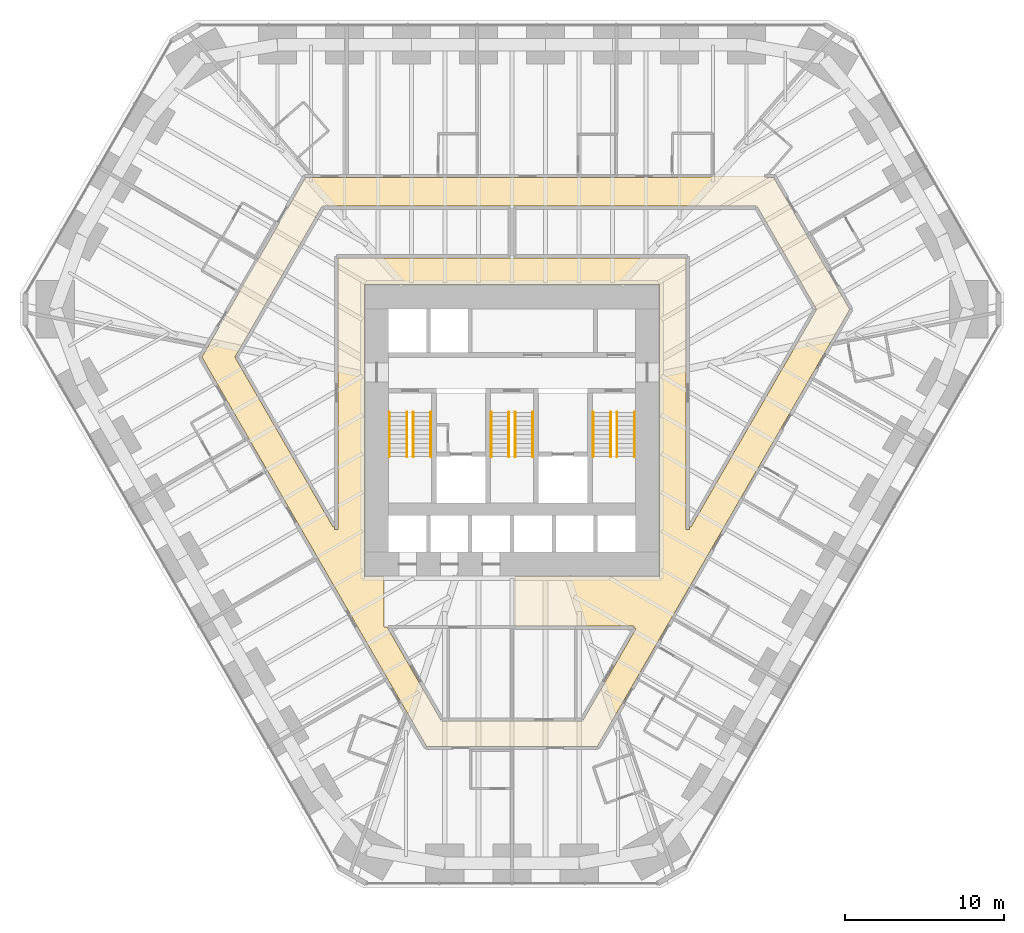
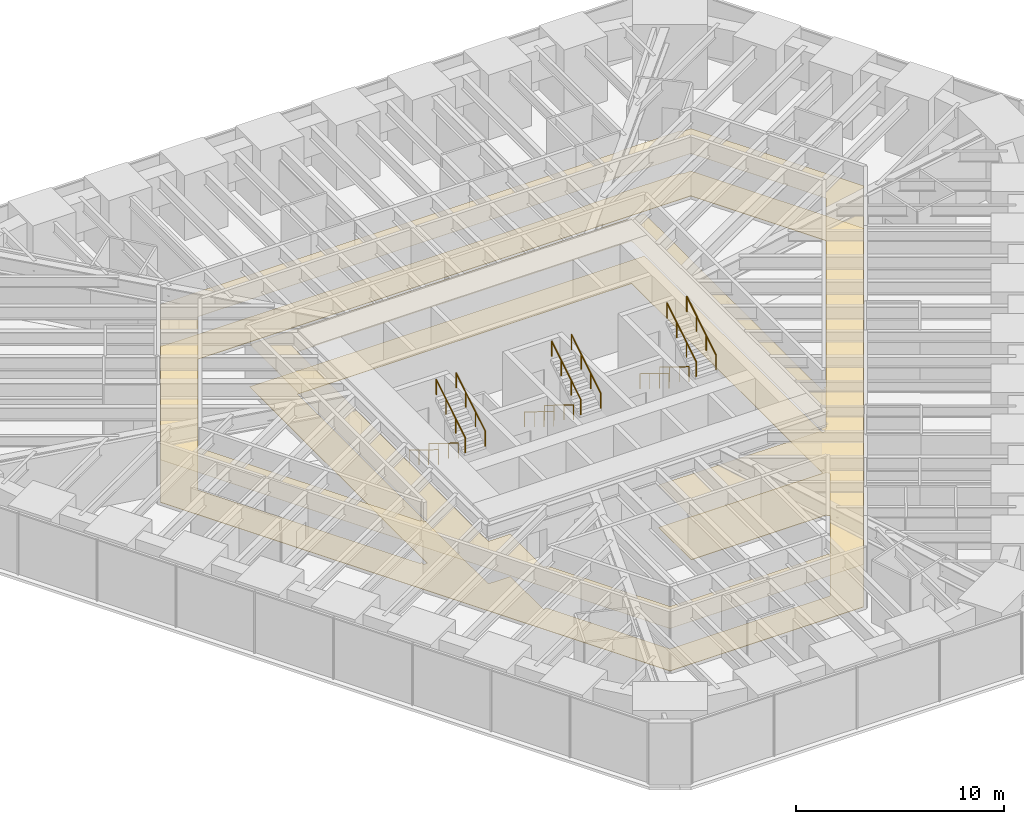
# One storey, part 17 of 17: 12 railings, 2 coverings.
"""IFC4 building model written with IfcOpenShell, lengths in metres."""

from ifc_helpers import new_model, si_unit, direction, frame, origin, origin_2d, place, context, subcontext, project, spatial, polyline, circle, outline, extrude, material, layer, layer_set, type_object, element, save


model = new_model("IFC4")

# Units and contexts
model_context = context("Model", 3, precision=1e-05, world=origin(), true_north=direction((0.0, 1.0)))
body_context = subcontext(model_context, "Body", "Model", "MODEL_VIEW")
ifc_project = project(units=[si_unit("LENGTHUNIT", "METRE"), si_unit("AREAUNIT", "SQUARE_METRE"), si_unit("VOLUMEUNIT", "CUBIC_METRE"), si_unit("PLANEANGLEUNIT", "RADIAN"), si_unit("MASSUNIT", "GRAM", prefix="KILO")], contexts=[model_context])

# Site, building, storey
site_placement = place(None, origin())
site = spatial("IfcSite", under=ifc_project, at=site_placement, CompositionType="ELEMENT")
building_placement = place(site_placement, origin())
building = spatial("IfcBuilding", under=site, at=building_placement, Name="Sandreach Pilgrim Tower", CompositionType="ELEMENT")
storey_placement = place(building_placement, frame((0.0, 0.0, 38.199951171875)))
storey = spatial("IfcBuildingStorey", under=building, at=storey_placement, Name="L08", CompositionType="ELEMENT", Elevation=38.199951171875)

# Covering
ifc_material_1 = material(Name="Gypsum board suspended ceiling on a steel grid", Category="steel")
ifc_layer_1 = layer(ifc_material_1, 0.012939453125)
ifc_layer_set_1 = layer_set([ifc_layer_1], Name="Gypsum board suspended ceiling")
covering_type_1 = type_object("IfcCoveringType", Name="Gypsum board suspended ceiling", PredefinedType="CEILING", material=ifc_layer_set_1)
covering_1_placement = place(storey_placement, frame((0.0, 0.0, 2.5)))
element("IfcCovering", 1, at=covering_1_placement, inside=storey, type_object=covering_type_1, Name="Ceiling 08C Corridor 08", PredefinedType="CEILING", context=body_context, shape_type="SweptSolid", body=[
    extrude(outline(polyline([(-12.972412109375, 14.35009765625), (10.080078125, 14.35009765625), (11.064697265625, 14.389892578125), (12.510009765625, 14.389892578125), (12.510009765625, 14.44873046875), (12.55517578125, 14.410400390625), (12.588623046875, 14.44873046875), (15.8701171875, 14.44873046875), (15.8701171875, 14.389892578125), (15.959228515625, 14.389892578125), (16.02001953125, 14.35009765625), (16.442138671875, 14.35009765625), (21.224609375, 6.06005859375), (5.3623046875, -21.409912109375), (-5.3623046875, -21.409912109375), (-19.49462890625, 3.06005859375), (-12.972412109375, 14.35009765625)]), holes=[polyline([(-17.41552734375, 3.06005859375), (-11.24658203125, -7.61962890625), (-11.14990234375, -7.563720703125), (-11.14990234375, -7.760009765625), (-10.949951171875, -7.760009765625), (-10.949951171875, 9.300048828125), (10.949951171875, 9.300048828125), (10.949951171875, -7.760009765625), (11.14990234375, -7.760009765625), (11.14990234375, -7.563720703125), (11.24658203125, -7.61962890625), (19.1455078125, 6.06005859375), (15.397705078125, 12.550048828125), (-11.937744140625, 12.550048828125), (-17.41552734375, 3.06005859375)]), polyline([(-8.050048828125, -10.719970703125), (-8.050048828125, -13.89990234375), (-7.8544921875, -13.89990234375), (-4.437744140625, -19.81005859375), (4.437744140625, -19.81005859375), (7.796630859375, -14.0), (7.635009765625, -13.85009765625), (0.179931640625, -13.85009765625), (0.175048828125, -10.719970703125), (9.27001953125, -10.719970703125), (9.27001953125, 7.6201171875), (-9.27001953125, 7.6201171875), (-9.27001953125, -10.719970703125), (-8.050048828125, -10.719970703125)])]), origin(), (0.0, 0.0, 1.0), 0.012939453125),
])

# Railings
ifc_material_2 = material(Name="Stainless steel tube", Category="steel")
railing_type = type_object("IfcRailingType", Name="Stair handrail", PredefinedType="HANDRAIL", material=ifc_material_2)
for number, where, name in (
    (2, (-6.60009765625, -0.39990234375, 0.1728515625), "Handrail ST1 L08 flight 1"),
    (3, (-7.699951171875, -0.39990234375, 0.1728515625), "Handrail ST1 L08 flight 1"),
):
    element("IfcRailing", number, at=place(storey_placement, frame(where)), inside=storey, type_object=railing_type, Name=name, PredefinedType="HANDRAIL", context=body_context, shape_type="SweptSolid", body=[
        extrude(circle(Radius=0.02392578125, at=origin_2d()), frame((0.0, 0.0, 0.8759765625), z_axis=(0.0, -0.851089632645, 0.525020415988), x_axis=(1.0, 0.0, 0.0)), (0.0, 0.0, 1.0), 3.2900390625),
        extrude(circle(Radius=0.02099609375, at=origin_2d()), origin(), (0.0, 0.0, 1.0), 0.851806640625),
        extrude(circle(Radius=0.02099609375, at=origin_2d()), frame((0.0, -0.933349609375, 0.57568359375)), (0.0, 0.0, 1.0), 0.851806640625),
        extrude(circle(Radius=0.02099609375, at=origin_2d()), frame((0.0, -1.86669921875, 1.151611328125)), (0.0, 0.0, 1.0), 0.851806640625),
        extrude(circle(Radius=0.02099609375, at=origin_2d()), frame((0.0, -2.800048828125, 1.727294921875)), (0.0, 0.0, 1.0), 0.851806640625),
    ])
for number, where, name in (
    (4, (-6.199951171875, -3.199951171875, 2.07275390625), "Handrail ST1 L08 flight 2"),
    (5, (-5.10009765625, -3.199951171875, 2.07275390625), "Handrail ST1 L08 flight 2"),
):
    element("IfcRailing", number, at=place(storey_placement, frame(where)), inside=storey, type_object=railing_type, Name=name, PredefinedType="HANDRAIL", context=body_context, shape_type="SweptSolid", body=[
        extrude(circle(Radius=0.02392578125, at=origin_2d()), frame((0.0, 0.0, 0.8759765625), z_axis=(0.0, 0.851089632645, 0.525020415988), x_axis=(-1.0, 0.0, 0.0)), (0.0, 0.0, 1.0), 3.2900390625),
        extrude(circle(Radius=0.02099609375, at=origin_2d()), origin(), (0.0, 0.0, 1.0), 0.851806640625),
        extrude(circle(Radius=0.02099609375, at=origin_2d()), frame((0.0, 0.933349609375, 0.57568359375)), (0.0, 0.0, 1.0), 0.851806640625),
        extrude(circle(Radius=0.02099609375, at=origin_2d()), frame((0.0, 1.86669921875, 1.151611328125)), (0.0, 0.0, 1.0), 0.851806640625),
        extrude(circle(Radius=0.02099609375, at=origin_2d()), frame((0.0, 2.800048828125, 1.727294921875)), (0.0, 0.0, 1.0), 0.851806640625),
    ])
for number, where, name in (
    (6, (-0.199951171875, -0.39990234375, 0.1728515625), "Handrail ST3 L08 flight 1"),
    (7, (-1.300048828125, -0.39990234375, 0.1728515625), "Handrail ST3 L08 flight 1"),
):
    element("IfcRailing", number, at=place(storey_placement, frame(where)), inside=storey, type_object=railing_type, Name=name, PredefinedType="HANDRAIL", context=body_context, shape_type="SweptSolid", body=[
        extrude(circle(Radius=0.02392578125, at=origin_2d()), frame((0.0, 0.0, 0.8759765625), z_axis=(0.0, -0.851089632645, 0.525020415988), x_axis=(1.0, 0.0, 0.0)), (0.0, 0.0, 1.0), 3.2900390625),
        extrude(circle(Radius=0.02099609375, at=origin_2d()), origin(), (0.0, 0.0, 1.0), 0.851806640625),
        extrude(circle(Radius=0.02099609375, at=origin_2d()), frame((0.0, -0.933349609375, 0.57568359375)), (0.0, 0.0, 1.0), 0.851806640625),
        extrude(circle(Radius=0.02099609375, at=origin_2d()), frame((0.0, -1.86669921875, 1.151611328125)), (0.0, 0.0, 1.0), 0.851806640625),
        extrude(circle(Radius=0.02099609375, at=origin_2d()), frame((0.0, -2.800048828125, 1.727294921875)), (0.0, 0.0, 1.0), 0.851806640625),
    ])
for number, where, name in (
    (8, (0.199951171875, -3.199951171875, 2.07275390625), "Handrail ST3 L08 flight 2"),
    (9, (1.300048828125, -3.199951171875, 2.07275390625), "Handrail ST3 L08 flight 2"),
):
    element("IfcRailing", number, at=place(storey_placement, frame(where)), inside=storey, type_object=railing_type, Name=name, PredefinedType="HANDRAIL", context=body_context, shape_type="SweptSolid", body=[
        extrude(circle(Radius=0.02392578125, at=origin_2d()), frame((0.0, 0.0, 0.8759765625), z_axis=(0.0, 0.851089632645, 0.525020415988), x_axis=(-1.0, 0.0, 0.0)), (0.0, 0.0, 1.0), 3.2900390625),
        extrude(circle(Radius=0.02099609375, at=origin_2d()), origin(), (0.0, 0.0, 1.0), 0.851806640625),
        extrude(circle(Radius=0.02099609375, at=origin_2d()), frame((0.0, 0.933349609375, 0.57568359375)), (0.0, 0.0, 1.0), 0.851806640625),
        extrude(circle(Radius=0.02099609375, at=origin_2d()), frame((0.0, 1.86669921875, 1.151611328125)), (0.0, 0.0, 1.0), 0.851806640625),
        extrude(circle(Radius=0.02099609375, at=origin_2d()), frame((0.0, 2.800048828125, 1.727294921875)), (0.0, 0.0, 1.0), 0.851806640625),
    ])
for number, where, name in (
    (10, (6.199951171875, -0.39990234375, 0.1728515625), "Handrail ST2 L08 flight 1"),
    (11, (5.10009765625, -0.39990234375, 0.1728515625), "Handrail ST2 L08 flight 1"),
):
    element("IfcRailing", number, at=place(storey_placement, frame(where)), inside=storey, type_object=railing_type, Name=name, PredefinedType="HANDRAIL", context=body_context, shape_type="SweptSolid", body=[
        extrude(circle(Radius=0.02392578125, at=origin_2d()), frame((0.0, 0.0, 0.8759765625), z_axis=(0.0, -0.851089632645, 0.525020415988), x_axis=(1.0, 0.0, 0.0)), (0.0, 0.0, 1.0), 3.2900390625),
        extrude(circle(Radius=0.02099609375, at=origin_2d()), origin(), (0.0, 0.0, 1.0), 0.851806640625),
        extrude(circle(Radius=0.02099609375, at=origin_2d()), frame((0.0, -0.933349609375, 0.57568359375)), (0.0, 0.0, 1.0), 0.851806640625),
        extrude(circle(Radius=0.02099609375, at=origin_2d()), frame((0.0, -1.86669921875, 1.151611328125)), (0.0, 0.0, 1.0), 0.851806640625),
        extrude(circle(Radius=0.02099609375, at=origin_2d()), frame((0.0, -2.800048828125, 1.727294921875)), (0.0, 0.0, 1.0), 0.851806640625),
    ])
for number, where, name in (
    (12, (6.60009765625, -3.199951171875, 2.07275390625), "Handrail ST2 L08 flight 2"),
    (13, (7.699951171875, -3.199951171875, 2.07275390625), "Handrail ST2 L08 flight 2"),
):
    element("IfcRailing", number, at=place(storey_placement, frame(where)), inside=storey, type_object=railing_type, Name=name, PredefinedType="HANDRAIL", context=body_context, shape_type="SweptSolid", body=[
        extrude(circle(Radius=0.02392578125, at=origin_2d()), frame((0.0, 0.0, 0.8759765625), z_axis=(0.0, 0.851089632645, 0.525020415988), x_axis=(-1.0, 0.0, 0.0)), (0.0, 0.0, 1.0), 3.2900390625),
        extrude(circle(Radius=0.02099609375, at=origin_2d()), origin(), (0.0, 0.0, 1.0), 0.851806640625),
        extrude(circle(Radius=0.02099609375, at=origin_2d()), frame((0.0, 0.933349609375, 0.57568359375)), (0.0, 0.0, 1.0), 0.851806640625),
        extrude(circle(Radius=0.02099609375, at=origin_2d()), frame((0.0, 1.86669921875, 1.151611328125)), (0.0, 0.0, 1.0), 0.851806640625),
        extrude(circle(Radius=0.02099609375, at=origin_2d()), frame((0.0, 2.800048828125, 1.727294921875)), (0.0, 0.0, 1.0), 0.851806640625),
    ])

# Covering
ifc_material_3 = material(Name="Cement terrazzo, ground and polished", Category="terrazzo")
ifc_layer_2 = layer(ifc_material_3, 0.02490234375)
ifc_layer_set_2 = layer_set([ifc_layer_2], Name="Terrazzo")
covering_type_2 = type_object("IfcCoveringType", Name="Terrazzo", PredefinedType="FLOORING", material=ifc_layer_set_2)
covering_2_placement = place(storey_placement, origin())
element("IfcCovering", 14, at=covering_2_placement, inside=storey, type_object=covering_type_2, Name="Floor finish 08C Corridor 08", PredefinedType="FLOORING", context=body_context, shape_type="SweptSolid", body=[
    extrude(outline(polyline([(-12.972412109375, 14.35009765625), (10.080078125, 14.35009765625), (11.064697265625, 14.389892578125), (12.510009765625, 14.389892578125), (12.510009765625, 14.44873046875), (12.55517578125, 14.410400390625), (12.588623046875, 14.44873046875), (15.8701171875, 14.44873046875), (15.8701171875, 14.389892578125), (15.959228515625, 14.389892578125), (16.02001953125, 14.35009765625), (16.442138671875, 14.35009765625), (21.224609375, 6.06005859375), (5.3623046875, -21.409912109375), (-5.3623046875, -21.409912109375), (-19.49462890625, 3.06005859375), (-12.972412109375, 14.35009765625)]), holes=[polyline([(-17.41552734375, 3.06005859375), (-11.24658203125, -7.61962890625), (-11.14990234375, -7.563720703125), (-11.14990234375, -7.760009765625), (-10.949951171875, -7.760009765625), (-10.949951171875, 9.300048828125), (10.949951171875, 9.300048828125), (10.949951171875, -7.760009765625), (11.14990234375, -7.760009765625), (11.14990234375, -7.563720703125), (11.24658203125, -7.61962890625), (19.1455078125, 6.06005859375), (15.397705078125, 12.550048828125), (-11.937744140625, 12.550048828125), (-17.41552734375, 3.06005859375)]), polyline([(-8.050048828125, -10.719970703125), (-8.050048828125, -13.89990234375), (-7.8544921875, -13.89990234375), (-4.437744140625, -19.81005859375), (4.437744140625, -19.81005859375), (7.796630859375, -14.0), (7.635009765625, -13.85009765625), (0.179931640625, -13.85009765625), (0.175048828125, -10.719970703125), (9.27001953125, -10.719970703125), (9.27001953125, 7.6201171875), (-9.27001953125, 7.6201171875), (-9.27001953125, -10.719970703125), (-8.050048828125, -10.719970703125)])]), origin(), (0.0, 0.0, 1.0), 0.025146484375),
])

save(model, "model.ifc")
